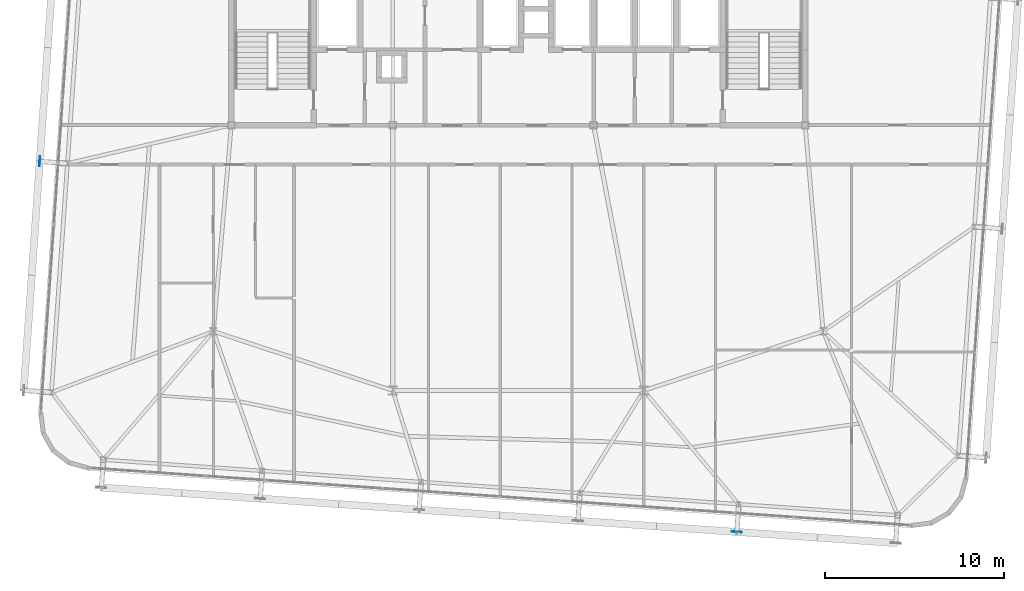
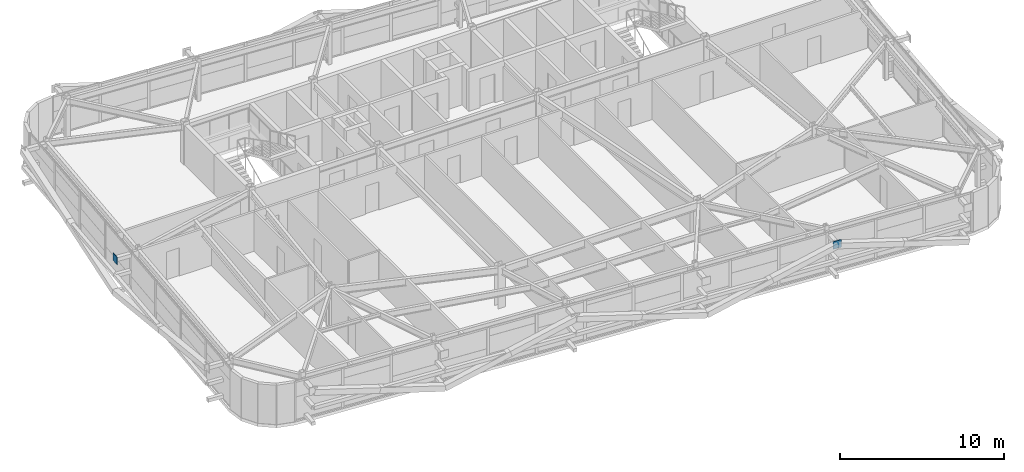
# One storey, part 35 of 47: 2 plates.
"""IFC4 building model written with IfcOpenShell, lengths in metres."""

from ifc_helpers import new_model, si_unit, direction, frame, origin, origin_2d, place, context, subcontext, project, spatial, rectangle, extrude, source, transform, mapped, material, layer, layer_set, type_object, element, save


model = new_model("IFC4")

# Units and contexts
model_context = context("Model", 3, precision=1e-05, world=origin(), true_north=direction((0.0, 1.0)))
body_context = subcontext(model_context, "Body", "Model", "MODEL_VIEW")
ifc_project = project(units=[si_unit("LENGTHUNIT", "METRE"), si_unit("AREAUNIT", "SQUARE_METRE"), si_unit("VOLUMEUNIT", "CUBIC_METRE"), si_unit("PLANEANGLEUNIT", "RADIAN"), si_unit("MASSUNIT", "GRAM", prefix="KILO")], contexts=[model_context])

# Site, building, storey
site_placement = place(None, origin())
site = spatial("IfcSite", under=ifc_project, at=site_placement, CompositionType="ELEMENT")
building_placement = place(site_placement, origin())
building = spatial("IfcBuilding", under=site, at=building_placement, Name="Taldren Reach Tower", CompositionType="ELEMENT")
storey_placement = place(building_placement, frame((0.0, 0.0, 142.449951171875)))
storey = spatial("IfcBuildingStorey", under=building, at=storey_placement, Name="L43", CompositionType="ELEMENT", Elevation=142.449951171875)

# Plates
ifc_material = material(Name="Steel Gr 450 (C450L0)", Category="steel")
ifc_layer = layer(ifc_material, 0.0400390625)
ifc_layer_set = layer_set([ifc_layer], Name="Steel Gr 450 (C450L0)")
plate_type = type_object("IfcPlateType", Name="PL-GUSSET-40", PredefinedType="SHEET", material=ifc_layer_set)
shared_shape = source(origin(), body_context, "Body", "SweptSolid", [
    extrude(rectangle(XDim=0.56005859375, YDim=0.0400390625, at=origin_2d()), origin(), (0.0, 0.0, 1.0), 0.56005859375),
])
for number, where, z_axis, x_axis, name in (
    (1, (47.18896484375, 1.314453125, 2.3701171875), (0.0, 0.0, 1.0), (0.99756405026, -0.069756473744, 0.0), "Exoskeleton star-node gusset plate B3-S5 L43"),
    (2, (8.3154296875, 21.9765625, 2.3701171875), (0.0, 0.0, 1.0), (0.069756473744, 0.99756405026, 0.0), "Exoskeleton star-node gusset plate B3-W2 L43"),
):
    element("IfcPlate", number, at=place(storey_placement, frame(where, z_axis=z_axis, x_axis=x_axis)), inside=storey, type_object=plate_type, Name=name, PredefinedType="SHEET", context=body_context, shape_type="MappedRepresentation", body=[
        mapped(shared_shape, transform((0.0, 0.0, 0.0), scale=1.0)),
    ])

save(model, "model.ifc")
